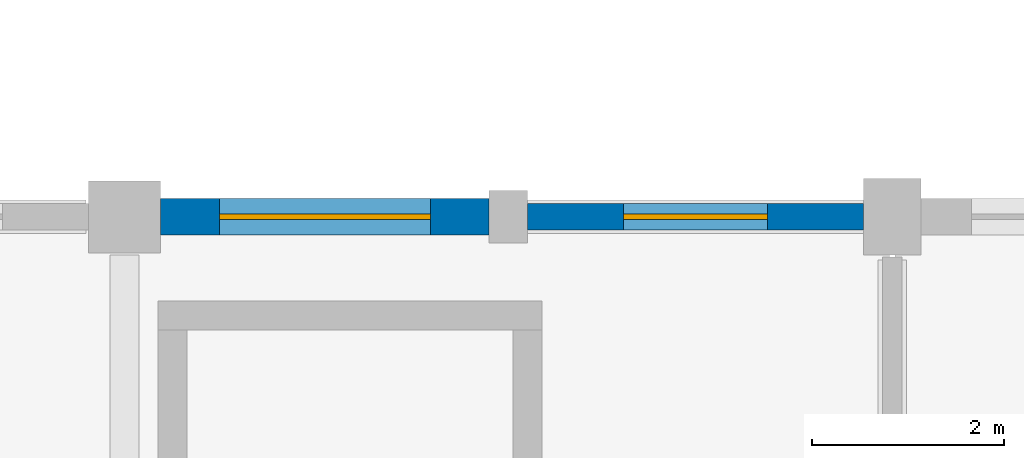
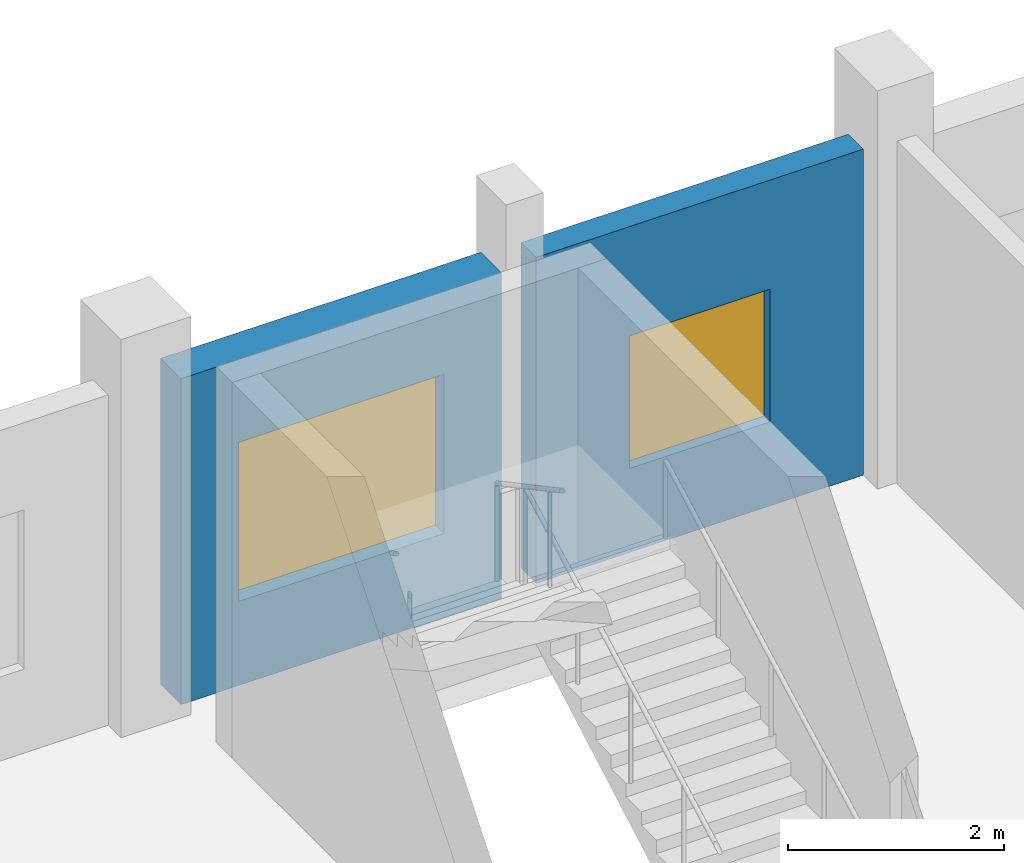
# One storey, part 147 of 183: 2 walls, 2 windows, 2 openings.
"""IFC4 building model written with IfcOpenShell, lengths in metres."""

from ifc_helpers import new_model, si_unit, direction, frame, frame_2d, origin, place, context, subcontext, project, spatial, rectangle, extrude, material, layer, layer_set, type_object, element, fill, save


model = new_model("IFC4")

# Units and contexts
model_context = context("Model", 3, precision=1e-05, world=origin(), true_north=direction((0.0, 1.0)))
body_context = subcontext(model_context, "Body", "Model", "MODEL_VIEW")
ifc_project = project(units=[si_unit("LENGTHUNIT", "METRE"), si_unit("AREAUNIT", "SQUARE_METRE"), si_unit("VOLUMEUNIT", "CUBIC_METRE"), si_unit("PLANEANGLEUNIT", "RADIAN"), si_unit("MASSUNIT", "GRAM", prefix="KILO")], contexts=[model_context])

# Site, building, storey
site_placement = place(None, origin())
site = spatial("IfcSite", under=ifc_project, at=site_placement, CompositionType="ELEMENT")
building_placement = place(site_placement, origin())
building = spatial("IfcBuilding", under=site, at=building_placement, Name="Luwemba Playhouse", CompositionType="ELEMENT")
storey_placement = place(building_placement, frame((0.0, 0.0, 4.800048828125)))
storey = spatial("IfcBuildingStorey", under=building, at=storey_placement, Name="L01", CompositionType="ELEMENT", Elevation=4.800048828125)

# Wall, opening, window
ifc_material_1 = material(Name="Clay facing brick obra vista masonry", Category="masonry")
ifc_layer_1 = layer(ifc_material_1, 0.3798828125)
ifc_layer_set_1 = layer_set([ifc_layer_1], Name="Clay facing brick obra vista masonry")
wall_type_1 = type_object("IfcWallType", Name="WAL-BRK-380", PredefinedType="SOLIDWALL", material=ifc_layer_set_1)
wall_1_placement = place(storey_placement, frame((124.375, 115.0, 0.0), z_axis=(0.0, 0.0, 1.0), x_axis=(1.0, 0.0, 0.0)))
wall_1 = element("IfcWall", 1, at=wall_1_placement, inside=storey, type_object=wall_type_1, Name="L01 V6E exterior facade wall 0240", PredefinedType="SOLIDWALL", context=body_context, shape_type="SweptSolid", body=[
    extrude(rectangle(XDim=3.425048828125, YDim=0.3798828125, at=frame_2d((1.71240234375, 0.0))), origin(), (0.0, 0.0, 1.0), 3.68505859375),
])
opening_1_placement = place(wall_1_placement, frame((0.612548828125, 0.0, 0.949951171875)))
opening_1 = element("IfcOpeningElement", 2, at=opening_1_placement, cuts=wall_1, Name="Opening WN-06", PredefinedType="OPENING", context=body_context, shape_type="SweptSolid", body=[
    extrude(rectangle(XDim=2.199951171875, YDim=1.800048828125, at=frame_2d((1.10009765625, 0.89990234375))), frame((0.0, 0.199951171875, 0.0), z_axis=(0.0, -1.0, 0.0), x_axis=(1.0, 0.0, 0.0)), (0.0, 0.0, 1.0), 0.39990234375),
])
ifc_material_2 = material(Name="Solar-control double glazing in aluminium frame", Category="aluminium")
window_type_1 = type_object("IfcWindowType", Name="WIN-WN-06", PartitioningType="TRIPLE_PANEL_VERTICAL", PredefinedType="WINDOW", material=ifc_material_2)
window_1_placement = place(opening_1_placement, origin())
window_1 = element("IfcWindow", 3, at=window_1_placement, inside=storey, type_object=window_type_1, Name="L01 V6E scheduled window 0187", OverallHeight=1.800048828125, OverallWidth=2.199951171875, PartitioningType="TRIPLE_PANEL_VERTICAL", PredefinedType="WINDOW", context=body_context, shape_type="SweptSolid", body=[
    extrude(rectangle(XDim=2.199951171875, YDim=1.800048828125, at=frame_2d((1.10009765625, 0.89990234375))), frame((0.0, 0.030029296875, 0.0), z_axis=(0.0, -1.0, 0.0), x_axis=(1.0, 0.0, 0.0)), (0.0, 0.0, 1.0), 0.06005859375),
])
fill(opening_1, window_1)

ifc_material_3 = material(Name="Structural timber GL24h infill", Category="wood")
ifc_layer_2 = layer(ifc_material_3, 0.280029296875)
ifc_layer_set_2 = layer_set([ifc_layer_2], Name="Structural timber GL24h infill")
wall_type_2 = type_object("IfcWallType", Name="WAL-TIM-280", PredefinedType="SOLIDWALL", material=ifc_layer_set_2)
wall_2_placement = place(storey_placement, frame((128.199951171875, 115.0, 0.0), z_axis=(0.0, 0.0, 1.0), x_axis=(1.0, 0.0, 0.0)))
wall_2 = element("IfcWall", 4, at=wall_2_placement, inside=storey, type_object=wall_type_2, Name="L01 V6E exterior facade wall 0241", PredefinedType="SOLIDWALL", context=body_context, shape_type="SweptSolid", body=[
    extrude(rectangle(XDim=3.5, YDim=0.280029296875, at=frame_2d((1.75, 0.0))), origin(), (0.0, 0.0, 1.0), 3.68505859375),
])
opening_2_placement = place(wall_2_placement, frame((1.0, 0.0, 0.949951171875)))
opening_2 = element("IfcOpeningElement", 5, at=opening_2_placement, cuts=wall_2, Name="Opening WN-09", PredefinedType="OPENING", context=body_context, shape_type="SweptSolid", body=[
    extrude(rectangle(XDim=1.5, YDim=1.5, at=frame_2d((0.75, 0.75))), frame((0.0, 0.14990234375, 0.0), z_axis=(0.0, -1.0, 0.0), x_axis=(1.0, 0.0, 0.0)), (0.0, 0.0, 1.0), 0.300048828125),
])
window_type_2 = type_object("IfcWindowType", Name="WIN-WN-09", PartitioningType="DOUBLE_PANEL_VERTICAL", PredefinedType="WINDOW", material=ifc_material_2)
window_2_placement = place(opening_2_placement, origin())
window_2 = element("IfcWindow", 6, at=window_2_placement, inside=storey, type_object=window_type_2, Name="L01 V6E scheduled window 0188", OverallHeight=1.5, OverallWidth=1.5, PartitioningType="DOUBLE_PANEL_VERTICAL", PredefinedType="WINDOW", context=body_context, shape_type="SweptSolid", body=[
    extrude(rectangle(XDim=1.5, YDim=1.5, at=frame_2d((0.75, 0.75))), frame((0.0, 0.030029296875, 0.0), z_axis=(0.0, -1.0, 0.0), x_axis=(1.0, 0.0, 0.0)), (0.0, 0.0, 1.0), 0.06005859375),
])
fill(opening_2, window_2)

save(model, "model.ifc")
